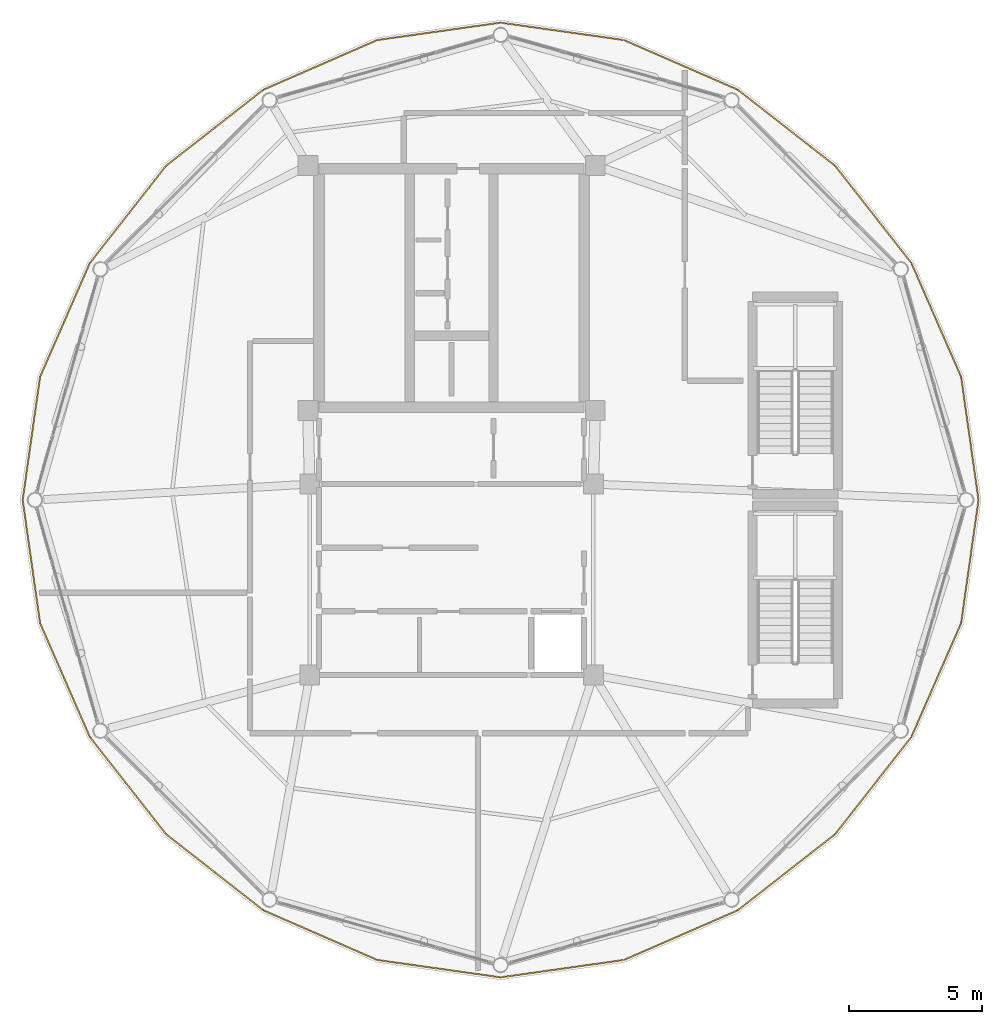
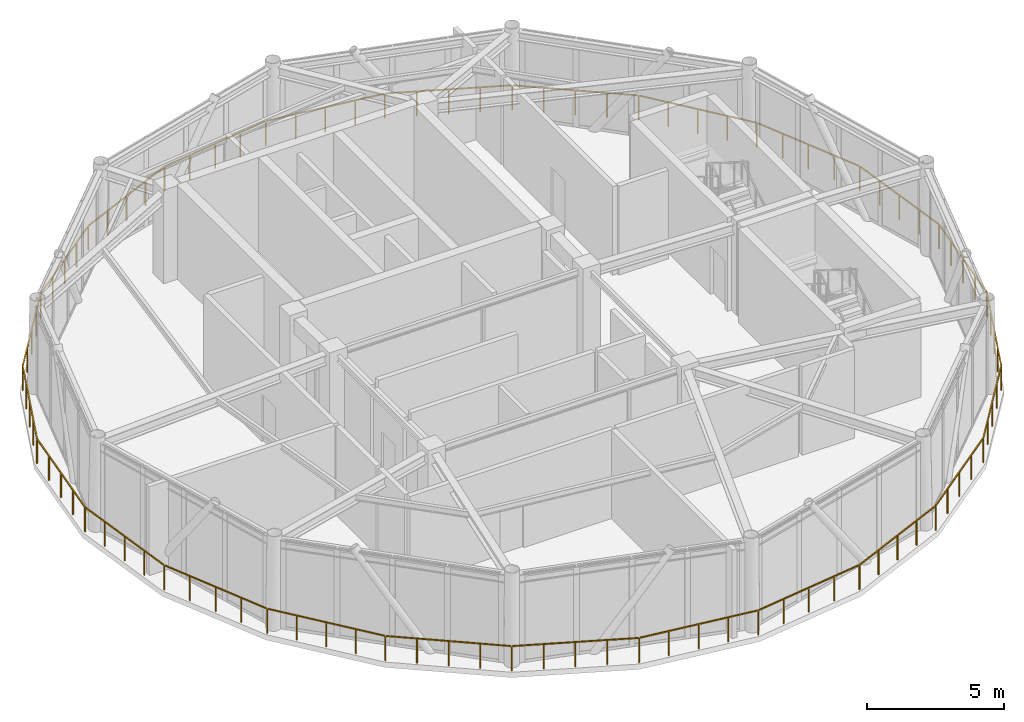
# One storey, part 20 of 21: 1 railing.
"""IFC4 building model written with IfcOpenShell, lengths in metres."""

from ifc_helpers import new_model, si_unit, direction, frame, origin, origin_2d, place, context, subcontext, project, spatial, rectangle, extrude, material, type_object, element, save


model = new_model("IFC4")

# Units and contexts
model_context = context("Model", 3, precision=1e-05, world=origin(), true_north=direction((0.0, 1.0)))
body_context = subcontext(model_context, "Body", "Model", "MODEL_VIEW")
ifc_project = project(units=[si_unit("LENGTHUNIT", "METRE"), si_unit("AREAUNIT", "SQUARE_METRE"), si_unit("VOLUMEUNIT", "CUBIC_METRE"), si_unit("PLANEANGLEUNIT", "RADIAN"), si_unit("MASSUNIT", "GRAM", prefix="KILO")], contexts=[model_context])

# Site, building, storey
site_placement = place(None, origin())
site = spatial("IfcSite", under=ifc_project, at=site_placement, CompositionType="ELEMENT")
building_placement = place(site_placement, origin())
building = spatial("IfcBuilding", under=site, at=building_placement, Name="Varnakorn Sky Granary", CompositionType="ELEMENT")
storey_placement = place(building_placement, frame((0.0, 0.0, 298.199951171875)))
storey = spatial("IfcBuildingStorey", under=building, at=storey_placement, Name="L76", CompositionType="ELEMENT", Elevation=298.199951171875)

# Railing
ifc_material = material(Name="Anodised Bronze Aluminium Alloy 6063-T6", Category="aluminium")
railing_type = type_object("IfcRailingType", Name="RL-BAL-1120", PredefinedType="BALUSTRADE", material=ifc_material)
railing_placement = place(storey_placement, frame((22.8779296875, 0.0, 0.0)))
element("IfcRailing", 1, at=railing_placement, inside=storey, type_object=railing_type, Name="Perimeter Slab-Edge Safety Guard L76", PredefinedType="BALUSTRADE", context=body_context, shape_type="SweptSolid", body=[
    extrude(rectangle(XDim=0.048095703125, YDim=0.048095703125, at=origin_2d()), frame((-0.00390625, -0.02783203125, 1.09619140625), z_axis=(-0.140030276965, -0.990147222151, 0.0), x_axis=(0.990147222151, -0.140030276965, 0.0)), (0.0, 0.0, 1.0), 4.637451171875),
    extrude(rectangle(XDim=0.048095703125, YDim=0.048095703125, at=origin_2d()), frame((-0.66845703125, -4.6728515625, 1.09619140625), z_axis=(-0.400534133953, -0.916281838486, 0.0), x_axis=(0.916281838486, -0.400534133953, 0.0)), (0.0, 0.0, 1.0), 4.622802734375),
    extrude(rectangle(XDim=0.048095703125, YDim=0.048095703125, at=origin_2d()), frame((-2.548583984375, -8.956298828125, 1.09619140625), z_axis=(-0.616745790769, -0.78716239085, 0.0), x_axis=(0.78716239085, -0.616745790769, 0.0)), (0.0, 0.0, 1.0), 4.607177734375),
    extrude(rectangle(XDim=0.048095703125, YDim=0.048095703125, at=origin_2d()), frame((-5.42919921875, -12.622314453125, 1.09619140625), z_axis=(-0.787895812714, -0.61580856466, 0.0), x_axis=(0.61580856466, -0.787895812714, 0.0)), (0.0, 0.0, 1.0), 4.608642578125),
    extrude(rectangle(XDim=0.048095703125, YDim=0.048095703125, at=origin_2d()), frame((-9.108154296875, -15.48876953125, 1.09619140625), z_axis=(-0.916618581941, -0.399762898779, 0.0), x_axis=(0.399762898779, -0.916618581941, 0.0)), (0.0, 0.0, 1.0), 4.626953125),
    extrude(rectangle(XDim=0.048095703125, YDim=0.048095703125, at=origin_2d()), frame((-13.40283203125, -17.353515625, 1.09619140625), z_axis=(-0.990192214683, -0.139711767514, 0.0), x_axis=(0.139711767514, -0.990192214683, 0.0)), (0.0, 0.0, 1.0), 4.642822265625),
    extrude(rectangle(XDim=0.048095703125, YDim=0.048095703125, at=origin_2d()), frame((-18.0556640625, -18.002197265625, 1.09619140625), z_axis=(-0.990193228768, 0.139704580102, 0.0), x_axis=(-0.139704580102, -0.990193228768, 0.0)), (0.0, 0.0, 1.0), 4.64306640625),
    extrude(rectangle(XDim=0.048095703125, YDim=0.048095703125, at=origin_2d()), frame((-22.70654296875, -17.33837890625, 1.09619140625), z_axis=(-0.916618581941, 0.399762898779, 0.0), x_axis=(-0.399762898779, -0.916618581941, 0.0)), (0.0, 0.0, 1.0), 4.626953125),
    extrude(rectangle(XDim=0.048095703125, YDim=0.048095703125, at=origin_2d()), frame((-26.995361328125, -15.460205078125, 1.09619140625), z_axis=(-0.787895812714, 0.61580856466, 0.0), x_axis=(-0.61580856466, -0.787895812714, 0.0)), (0.0, 0.0, 1.0), 4.608642578125),
    extrude(rectangle(XDim=0.048095703125, YDim=0.048095703125, at=origin_2d()), frame((-30.666015625, -12.5830078125, 1.09619140625), z_axis=(-0.616745790769, 0.78716239085, 0.0), x_axis=(-0.78716239085, -0.616745790769, 0.0)), (0.0, 0.0, 1.0), 4.607177734375),
    extrude(rectangle(XDim=0.048095703125, YDim=0.048095703125, at=origin_2d()), frame((-33.535888671875, -8.90869140625, 1.09619140625), z_axis=(-0.400534133953, 0.916281838486, 0.0), x_axis=(-0.916281838486, -0.400534133953, 0.0)), (0.0, 0.0, 1.0), 4.622802734375),
    extrude(rectangle(XDim=0.048095703125, YDim=0.048095703125, at=origin_2d()), frame((-35.402587890625, -4.619384765625, 1.09619140625), z_axis=(-0.140030276965, 0.990147222151, 0.0), x_axis=(-0.990147222151, -0.140030276965, 0.0)), (0.0, 0.0, 1.0), 4.637451171875),
    extrude(rectangle(XDim=0.048095703125, YDim=0.048095703125, at=origin_2d()), frame((-36.052001953125, 0.02783203125, 1.09619140625), z_axis=(0.140030276965, 0.990147222151, 0.0), x_axis=(-0.990147222151, 0.140030276965, 0.0)), (0.0, 0.0, 1.0), 4.637451171875),
    extrude(rectangle(XDim=0.048095703125, YDim=0.048095703125, at=origin_2d()), frame((-35.387451171875, 4.6728515625, 1.09619140625), z_axis=(0.400534133953, 0.916281838486, 0.0), x_axis=(-0.916281838486, 0.400534133953, 0.0)), (0.0, 0.0, 1.0), 4.622802734375),
    extrude(rectangle(XDim=0.048095703125, YDim=0.048095703125, at=origin_2d()), frame((-33.50732421875, 8.956298828125, 1.09619140625), z_axis=(0.616745790769, 0.78716239085, 0.0), x_axis=(-0.78716239085, 0.616745790769, 0.0)), (0.0, 0.0, 1.0), 4.607177734375),
    extrude(rectangle(XDim=0.048095703125, YDim=0.048095703125, at=origin_2d()), frame((-30.626708984375, 12.622314453125, 1.09619140625), z_axis=(0.787895812714, 0.61580856466, 0.0), x_axis=(-0.61580856466, 0.787895812714, 0.0)), (0.0, 0.0, 1.0), 4.608642578125),
    extrude(rectangle(XDim=0.048095703125, YDim=0.048095703125, at=origin_2d()), frame((-26.94775390625, 15.48876953125, 1.09619140625), z_axis=(0.916618581941, 0.399762898779, 0.0), x_axis=(-0.399762898779, 0.916618581941, 0.0)), (0.0, 0.0, 1.0), 4.626953125),
    extrude(rectangle(XDim=0.048095703125, YDim=0.048095703125, at=origin_2d()), frame((-22.653076171875, 17.353515625, 1.09619140625), z_axis=(0.990193228768, 0.139704580102, 0.0), x_axis=(-0.139704580102, 0.990193228768, 0.0)), (0.0, 0.0, 1.0), 4.64306640625),
    extrude(rectangle(XDim=0.048095703125, YDim=0.048095703125, at=origin_2d()), frame((-18.0, 18.002197265625, 1.09619140625), z_axis=(0.990192214683, -0.139711767514, 0.0), x_axis=(0.139711767514, 0.990192214683, 0.0)), (0.0, 0.0, 1.0), 4.642822265625),
    extrude(rectangle(XDim=0.048095703125, YDim=0.048095703125, at=origin_2d()), frame((-13.349365234375, 17.33837890625, 1.09619140625), z_axis=(0.916618581941, -0.399762898779, 0.0), x_axis=(0.399762898779, 0.916618581941, 0.0)), (0.0, 0.0, 1.0), 4.626953125),
    extrude(rectangle(XDim=0.048095703125, YDim=0.048095703125, at=origin_2d()), frame((-9.060546875, 15.460205078125, 1.09619140625), z_axis=(0.787895812714, -0.61580856466, 0.0), x_axis=(0.61580856466, 0.787895812714, 0.0)), (0.0, 0.0, 1.0), 4.608642578125),
    extrude(rectangle(XDim=0.048095703125, YDim=0.048095703125, at=origin_2d()), frame((-5.389892578125, 12.5830078125, 1.09619140625), z_axis=(0.616745790769, -0.78716239085, 0.0), x_axis=(0.78716239085, 0.616745790769, 0.0)), (0.0, 0.0, 1.0), 4.607177734375),
    extrude(rectangle(XDim=0.048095703125, YDim=0.048095703125, at=origin_2d()), frame((-2.52001953125, 8.90869140625, 1.09619140625), z_axis=(0.400534133953, -0.916281838486, 0.0), x_axis=(0.916281838486, 0.400534133953, 0.0)), (0.0, 0.0, 1.0), 4.622802734375),
    extrude(rectangle(XDim=0.048095703125, YDim=0.048095703125, at=origin_2d()), frame((-0.6533203125, 4.619384765625, 1.09619140625), z_axis=(0.140030276965, -0.990147222151, 0.0), x_axis=(0.990147222151, 0.140030276965, 0.0)), (0.0, 0.0, 1.0), 4.637451171875),
    extrude(rectangle(XDim=0.0419921875, YDim=0.0419921875, at=origin_2d()), origin(), (0.0, 0.0, 1.0), 1.068115234375),
    extrude(rectangle(XDim=0.0419921875, YDim=0.0419921875, at=origin_2d()), frame((-0.164306640625, -1.161865234375, 0.0)), (0.0, 0.0, 1.0), 1.068115234375),
    extrude(rectangle(XDim=0.0419921875, YDim=0.0419921875, at=origin_2d()), frame((-0.32861328125, -2.32373046875, 0.0)), (0.0, 0.0, 1.0), 1.068115234375),
    extrude(rectangle(XDim=0.0419921875, YDim=0.0419921875, at=origin_2d()), frame((-0.492919921875, -3.4853515625, 0.0)), (0.0, 0.0, 1.0), 1.068115234375),
    extrude(rectangle(XDim=0.0419921875, YDim=0.0419921875, at=origin_2d()), frame((-0.6572265625, -4.647216796875, 0.0)), (0.0, 0.0, 1.0), 1.068115234375),
    extrude(rectangle(XDim=0.0419921875, YDim=0.0419921875, at=origin_2d()), frame((-1.125732421875, -5.718994140625, 0.0)), (0.0, 0.0, 1.0), 1.068115234375),
    extrude(rectangle(XDim=0.0419921875, YDim=0.0419921875, at=origin_2d()), frame((-1.59423828125, -6.790771484375, 0.0)), (0.0, 0.0, 1.0), 1.068115234375),
    extrude(rectangle(XDim=0.0419921875, YDim=0.0419921875, at=origin_2d()), frame((-2.062744140625, -7.862548828125, 0.0)), (0.0, 0.0, 1.0), 1.068115234375),
    extrude(rectangle(XDim=0.0419921875, YDim=0.0419921875, at=origin_2d()), frame((-2.53125, -8.934326171875, 0.0)), (0.0, 0.0, 1.0), 1.068115234375),
    extrude(rectangle(XDim=0.0419921875, YDim=0.0419921875, at=origin_2d()), frame((-3.250244140625, -9.85205078125, 0.0)), (0.0, 0.0, 1.0), 1.068115234375),
    extrude(rectangle(XDim=0.0419921875, YDim=0.0419921875, at=origin_2d()), frame((-3.96923828125, -10.76953125, 0.0)), (0.0, 0.0, 1.0), 1.068115234375),
    extrude(rectangle(XDim=0.0419921875, YDim=0.0419921875, at=origin_2d()), frame((-4.688232421875, -11.687255859375, 0.0)), (0.0, 0.0, 1.0), 1.068115234375),
    extrude(rectangle(XDim=0.0419921875, YDim=0.0419921875, at=origin_2d()), frame((-5.4072265625, -12.60498046875, 0.0)), (0.0, 0.0, 1.0), 1.068115234375),
    extrude(rectangle(XDim=0.0419921875, YDim=0.0419921875, at=origin_2d()), frame((-6.326171875, -13.3232421875, 0.0)), (0.0, 0.0, 1.0), 1.068115234375),
    extrude(rectangle(XDim=0.0419921875, YDim=0.0419921875, at=origin_2d()), frame((-7.244873046875, -14.041259765625, 0.0)), (0.0, 0.0, 1.0), 1.068115234375),
    extrude(rectangle(XDim=0.0419921875, YDim=0.0419921875, at=origin_2d()), frame((-8.16357421875, -14.75927734375, 0.0)), (0.0, 0.0, 1.0), 1.068115234375),
    extrude(rectangle(XDim=0.0419921875, YDim=0.0419921875, at=origin_2d()), frame((-9.08251953125, -15.4775390625, 0.0)), (0.0, 0.0, 1.0), 1.068115234375),
    extrude(rectangle(XDim=0.0419921875, YDim=0.0419921875, at=origin_2d()), frame((-10.15576171875, -15.945556640625, 0.0)), (0.0, 0.0, 1.0), 1.068115234375),
    extrude(rectangle(XDim=0.0419921875, YDim=0.0419921875, at=origin_2d()), frame((-11.228759765625, -16.41357421875, 0.0)), (0.0, 0.0, 1.0), 1.068115234375),
    extrude(rectangle(XDim=0.0419921875, YDim=0.0419921875, at=origin_2d()), frame((-12.3017578125, -16.881591796875, 0.0)), (0.0, 0.0, 1.0), 1.068115234375),
    extrude(rectangle(XDim=0.0419921875, YDim=0.0419921875, at=origin_2d()), frame((-13.375, -17.349609375, 0.0)), (0.0, 0.0, 1.0), 1.068115234375),
    extrude(rectangle(XDim=0.0419921875, YDim=0.0419921875, at=origin_2d()), frame((-14.5380859375, -17.513671875, 0.0)), (0.0, 0.0, 1.0), 1.068115234375),
    extrude(rectangle(XDim=0.0419921875, YDim=0.0419921875, at=origin_2d()), frame((-15.701416015625, -17.677734375, 0.0)), (0.0, 0.0, 1.0), 1.068115234375),
    extrude(rectangle(XDim=0.0419921875, YDim=0.0419921875, at=origin_2d()), frame((-16.86474609375, -17.842041015625, 0.0)), (0.0, 0.0, 1.0), 1.068115234375),
    extrude(rectangle(XDim=0.0419921875, YDim=0.0419921875, at=origin_2d()), frame((-18.02783203125, -18.006103515625, 0.0)), (0.0, 0.0, 1.0), 1.068115234375),
    extrude(rectangle(XDim=0.0419921875, YDim=0.0419921875, at=origin_2d()), frame((-19.191162109375, -17.842041015625, 0.0)), (0.0, 0.0, 1.0), 1.068115234375),
    extrude(rectangle(XDim=0.0419921875, YDim=0.0419921875, at=origin_2d()), frame((-20.3544921875, -17.677734375, 0.0)), (0.0, 0.0, 1.0), 1.068115234375),
    extrude(rectangle(XDim=0.0419921875, YDim=0.0419921875, at=origin_2d()), frame((-21.517578125, -17.513671875, 0.0)), (0.0, 0.0, 1.0), 1.068115234375),
    extrude(rectangle(XDim=0.0419921875, YDim=0.0419921875, at=origin_2d()), frame((-22.680908203125, -17.349609375, 0.0)), (0.0, 0.0, 1.0), 1.068115234375),
    extrude(rectangle(XDim=0.0419921875, YDim=0.0419921875, at=origin_2d()), frame((-23.75390625, -16.881591796875, 0.0)), (0.0, 0.0, 1.0), 1.068115234375),
    extrude(rectangle(XDim=0.0419921875, YDim=0.0419921875, at=origin_2d()), frame((-24.8271484375, -16.41357421875, 0.0)), (0.0, 0.0, 1.0), 1.068115234375),
    extrude(rectangle(XDim=0.0419921875, YDim=0.0419921875, at=origin_2d()), frame((-25.900390625, -15.945556640625, 0.0)), (0.0, 0.0, 1.0), 1.068115234375),
    extrude(rectangle(XDim=0.0419921875, YDim=0.0419921875, at=origin_2d()), frame((-26.973388671875, -15.4775390625, 0.0)), (0.0, 0.0, 1.0), 1.068115234375),
    extrude(rectangle(XDim=0.0419921875, YDim=0.0419921875, at=origin_2d()), frame((-27.89208984375, -14.75927734375, 0.0)), (0.0, 0.0, 1.0), 1.068115234375),
    extrude(rectangle(XDim=0.0419921875, YDim=0.0419921875, at=origin_2d()), frame((-28.81103515625, -14.041259765625, 0.0)), (0.0, 0.0, 1.0), 1.068115234375),
    extrude(rectangle(XDim=0.0419921875, YDim=0.0419921875, at=origin_2d()), frame((-29.72998046875, -13.3232421875, 0.0)), (0.0, 0.0, 1.0), 1.068115234375),
    extrude(rectangle(XDim=0.0419921875, YDim=0.0419921875, at=origin_2d()), frame((-30.648681640625, -12.60498046875, 0.0)), (0.0, 0.0, 1.0), 1.068115234375),
    extrude(rectangle(XDim=0.0419921875, YDim=0.0419921875, at=origin_2d()), frame((-31.36767578125, -11.687255859375, 0.0)), (0.0, 0.0, 1.0), 1.068115234375),
    extrude(rectangle(XDim=0.0419921875, YDim=0.0419921875, at=origin_2d()), frame((-32.086669921875, -10.76953125, 0.0)), (0.0, 0.0, 1.0), 1.068115234375),
    extrude(rectangle(XDim=0.0419921875, YDim=0.0419921875, at=origin_2d()), frame((-32.8056640625, -9.85205078125, 0.0)), (0.0, 0.0, 1.0), 1.068115234375),
    extrude(rectangle(XDim=0.0419921875, YDim=0.0419921875, at=origin_2d()), frame((-33.524658203125, -8.934326171875, 0.0)), (0.0, 0.0, 1.0), 1.068115234375),
    extrude(rectangle(XDim=0.0419921875, YDim=0.0419921875, at=origin_2d()), frame((-33.9931640625, -7.862548828125, 0.0)), (0.0, 0.0, 1.0), 1.068115234375),
    extrude(rectangle(XDim=0.0419921875, YDim=0.0419921875, at=origin_2d()), frame((-34.461669921875, -6.790771484375, 0.0)), (0.0, 0.0, 1.0), 1.068115234375),
    extrude(rectangle(XDim=0.0419921875, YDim=0.0419921875, at=origin_2d()), frame((-34.93017578125, -5.718994140625, 0.0)), (0.0, 0.0, 1.0), 1.068115234375),
    extrude(rectangle(XDim=0.0419921875, YDim=0.0419921875, at=origin_2d()), frame((-35.398681640625, -4.647216796875, 0.0)), (0.0, 0.0, 1.0), 1.068115234375),
    extrude(rectangle(XDim=0.0419921875, YDim=0.0419921875, at=origin_2d()), frame((-35.56298828125, -3.4853515625, 0.0)), (0.0, 0.0, 1.0), 1.068115234375),
    extrude(rectangle(XDim=0.0419921875, YDim=0.0419921875, at=origin_2d()), frame((-35.727294921875, -2.32373046875, 0.0)), (0.0, 0.0, 1.0), 1.068115234375),
    extrude(rectangle(XDim=0.0419921875, YDim=0.0419921875, at=origin_2d()), frame((-35.8916015625, -1.161865234375, 0.0)), (0.0, 0.0, 1.0), 1.068115234375),
    extrude(rectangle(XDim=0.0419921875, YDim=0.0419921875, at=origin_2d()), frame((-36.055908203125, 0.0, 0.0)), (0.0, 0.0, 1.0), 1.068115234375),
    extrude(rectangle(XDim=0.0419921875, YDim=0.0419921875, at=origin_2d()), frame((-35.8916015625, 1.161865234375, 0.0)), (0.0, 0.0, 1.0), 1.068115234375),
    extrude(rectangle(XDim=0.0419921875, YDim=0.0419921875, at=origin_2d()), frame((-35.727294921875, 2.32373046875, 0.0)), (0.0, 0.0, 1.0), 1.068115234375),
    extrude(rectangle(XDim=0.0419921875, YDim=0.0419921875, at=origin_2d()), frame((-35.56298828125, 3.4853515625, 0.0)), (0.0, 0.0, 1.0), 1.068115234375),
    extrude(rectangle(XDim=0.0419921875, YDim=0.0419921875, at=origin_2d()), frame((-35.398681640625, 4.647216796875, 0.0)), (0.0, 0.0, 1.0), 1.068115234375),
    extrude(rectangle(XDim=0.0419921875, YDim=0.0419921875, at=origin_2d()), frame((-34.93017578125, 5.718994140625, 0.0)), (0.0, 0.0, 1.0), 1.068115234375),
    extrude(rectangle(XDim=0.0419921875, YDim=0.0419921875, at=origin_2d()), frame((-34.461669921875, 6.790771484375, 0.0)), (0.0, 0.0, 1.0), 1.068115234375),
    extrude(rectangle(XDim=0.0419921875, YDim=0.0419921875, at=origin_2d()), frame((-33.9931640625, 7.862548828125, 0.0)), (0.0, 0.0, 1.0), 1.068115234375),
    extrude(rectangle(XDim=0.0419921875, YDim=0.0419921875, at=origin_2d()), frame((-33.524658203125, 8.934326171875, 0.0)), (0.0, 0.0, 1.0), 1.068115234375),
    extrude(rectangle(XDim=0.0419921875, YDim=0.0419921875, at=origin_2d()), frame((-32.8056640625, 9.85205078125, 0.0)), (0.0, 0.0, 1.0), 1.068115234375),
    extrude(rectangle(XDim=0.0419921875, YDim=0.0419921875, at=origin_2d()), frame((-32.086669921875, 10.76953125, 0.0)), (0.0, 0.0, 1.0), 1.068115234375),
    extrude(rectangle(XDim=0.0419921875, YDim=0.0419921875, at=origin_2d()), frame((-31.36767578125, 11.687255859375, 0.0)), (0.0, 0.0, 1.0), 1.068115234375),
    extrude(rectangle(XDim=0.0419921875, YDim=0.0419921875, at=origin_2d()), frame((-30.648681640625, 12.60498046875, 0.0)), (0.0, 0.0, 1.0), 1.068115234375),
    extrude(rectangle(XDim=0.0419921875, YDim=0.0419921875, at=origin_2d()), frame((-29.72998046875, 13.3232421875, 0.0)), (0.0, 0.0, 1.0), 1.068115234375),
    extrude(rectangle(XDim=0.0419921875, YDim=0.0419921875, at=origin_2d()), frame((-28.81103515625, 14.041259765625, 0.0)), (0.0, 0.0, 1.0), 1.068115234375),
    extrude(rectangle(XDim=0.0419921875, YDim=0.0419921875, at=origin_2d()), frame((-27.89208984375, 14.75927734375, 0.0)), (0.0, 0.0, 1.0), 1.068115234375),
    extrude(rectangle(XDim=0.0419921875, YDim=0.0419921875, at=origin_2d()), frame((-26.973388671875, 15.4775390625, 0.0)), (0.0, 0.0, 1.0), 1.068115234375),
    extrude(rectangle(XDim=0.0419921875, YDim=0.0419921875, at=origin_2d()), frame((-25.900390625, 15.945556640625, 0.0)), (0.0, 0.0, 1.0), 1.068115234375),
    extrude(rectangle(XDim=0.0419921875, YDim=0.0419921875, at=origin_2d()), frame((-24.8271484375, 16.41357421875, 0.0)), (0.0, 0.0, 1.0), 1.068115234375),
    extrude(rectangle(XDim=0.0419921875, YDim=0.0419921875, at=origin_2d()), frame((-23.75390625, 16.881591796875, 0.0)), (0.0, 0.0, 1.0), 1.068115234375),
    extrude(rectangle(XDim=0.0419921875, YDim=0.0419921875, at=origin_2d()), frame((-22.680908203125, 17.349609375, 0.0)), (0.0, 0.0, 1.0), 1.068115234375),
    extrude(rectangle(XDim=0.0419921875, YDim=0.0419921875, at=origin_2d()), frame((-21.517578125, 17.513671875, 0.0)), (0.0, 0.0, 1.0), 1.068115234375),
    extrude(rectangle(XDim=0.0419921875, YDim=0.0419921875, at=origin_2d()), frame((-20.3544921875, 17.677734375, 0.0)), (0.0, 0.0, 1.0), 1.068115234375),
    extrude(rectangle(XDim=0.0419921875, YDim=0.0419921875, at=origin_2d()), frame((-19.191162109375, 17.842041015625, 0.0)), (0.0, 0.0, 1.0), 1.068115234375),
    extrude(rectangle(XDim=0.0419921875, YDim=0.0419921875, at=origin_2d()), frame((-18.02783203125, 18.006103515625, 0.0)), (0.0, 0.0, 1.0), 1.068115234375),
    extrude(rectangle(XDim=0.0419921875, YDim=0.0419921875, at=origin_2d()), frame((-16.86474609375, 17.842041015625, 0.0)), (0.0, 0.0, 1.0), 1.068115234375),
    extrude(rectangle(XDim=0.0419921875, YDim=0.0419921875, at=origin_2d()), frame((-15.701416015625, 17.677734375, 0.0)), (0.0, 0.0, 1.0), 1.068115234375),
    extrude(rectangle(XDim=0.0419921875, YDim=0.0419921875, at=origin_2d()), frame((-14.5380859375, 17.513671875, 0.0)), (0.0, 0.0, 1.0), 1.068115234375),
    extrude(rectangle(XDim=0.0419921875, YDim=0.0419921875, at=origin_2d()), frame((-13.375, 17.349609375, 0.0)), (0.0, 0.0, 1.0), 1.068115234375),
    extrude(rectangle(XDim=0.0419921875, YDim=0.0419921875, at=origin_2d()), frame((-12.3017578125, 16.881591796875, 0.0)), (0.0, 0.0, 1.0), 1.068115234375),
    extrude(rectangle(XDim=0.0419921875, YDim=0.0419921875, at=origin_2d()), frame((-11.228759765625, 16.41357421875, 0.0)), (0.0, 0.0, 1.0), 1.068115234375),
    extrude(rectangle(XDim=0.0419921875, YDim=0.0419921875, at=origin_2d()), frame((-10.15576171875, 15.945556640625, 0.0)), (0.0, 0.0, 1.0), 1.068115234375),
    extrude(rectangle(XDim=0.0419921875, YDim=0.0419921875, at=origin_2d()), frame((-9.08251953125, 15.4775390625, 0.0)), (0.0, 0.0, 1.0), 1.068115234375),
    extrude(rectangle(XDim=0.0419921875, YDim=0.0419921875, at=origin_2d()), frame((-8.16357421875, 14.75927734375, 0.0)), (0.0, 0.0, 1.0), 1.068115234375),
    extrude(rectangle(XDim=0.0419921875, YDim=0.0419921875, at=origin_2d()), frame((-7.244873046875, 14.041259765625, 0.0)), (0.0, 0.0, 1.0), 1.068115234375),
    extrude(rectangle(XDim=0.0419921875, YDim=0.0419921875, at=origin_2d()), frame((-6.326171875, 13.3232421875, 0.0)), (0.0, 0.0, 1.0), 1.068115234375),
    extrude(rectangle(XDim=0.0419921875, YDim=0.0419921875, at=origin_2d()), frame((-5.4072265625, 12.60498046875, 0.0)), (0.0, 0.0, 1.0), 1.068115234375),
    extrude(rectangle(XDim=0.0419921875, YDim=0.0419921875, at=origin_2d()), frame((-4.688232421875, 11.687255859375, 0.0)), (0.0, 0.0, 1.0), 1.068115234375),
    extrude(rectangle(XDim=0.0419921875, YDim=0.0419921875, at=origin_2d()), frame((-3.96923828125, 10.76953125, 0.0)), (0.0, 0.0, 1.0), 1.068115234375),
    extrude(rectangle(XDim=0.0419921875, YDim=0.0419921875, at=origin_2d()), frame((-3.250244140625, 9.85205078125, 0.0)), (0.0, 0.0, 1.0), 1.068115234375),
    extrude(rectangle(XDim=0.0419921875, YDim=0.0419921875, at=origin_2d()), frame((-2.53125, 8.934326171875, 0.0)), (0.0, 0.0, 1.0), 1.068115234375),
    extrude(rectangle(XDim=0.0419921875, YDim=0.0419921875, at=origin_2d()), frame((-2.062744140625, 7.862548828125, 0.0)), (0.0, 0.0, 1.0), 1.068115234375),
    extrude(rectangle(XDim=0.0419921875, YDim=0.0419921875, at=origin_2d()), frame((-1.59423828125, 6.790771484375, 0.0)), (0.0, 0.0, 1.0), 1.068115234375),
    extrude(rectangle(XDim=0.0419921875, YDim=0.0419921875, at=origin_2d()), frame((-1.125732421875, 5.718994140625, 0.0)), (0.0, 0.0, 1.0), 1.068115234375),
    extrude(rectangle(XDim=0.0419921875, YDim=0.0419921875, at=origin_2d()), frame((-0.6572265625, 4.647216796875, 0.0)), (0.0, 0.0, 1.0), 1.068115234375),
    extrude(rectangle(XDim=0.0419921875, YDim=0.0419921875, at=origin_2d()), frame((-0.492919921875, 3.4853515625, 0.0)), (0.0, 0.0, 1.0), 1.068115234375),
    extrude(rectangle(XDim=0.0419921875, YDim=0.0419921875, at=origin_2d()), frame((-0.32861328125, 2.32373046875, 0.0)), (0.0, 0.0, 1.0), 1.068115234375),
    extrude(rectangle(XDim=0.0419921875, YDim=0.0419921875, at=origin_2d()), frame((-0.164306640625, 1.161865234375, 0.0)), (0.0, 0.0, 1.0), 1.068115234375),
])

save(model, "model.ifc")
